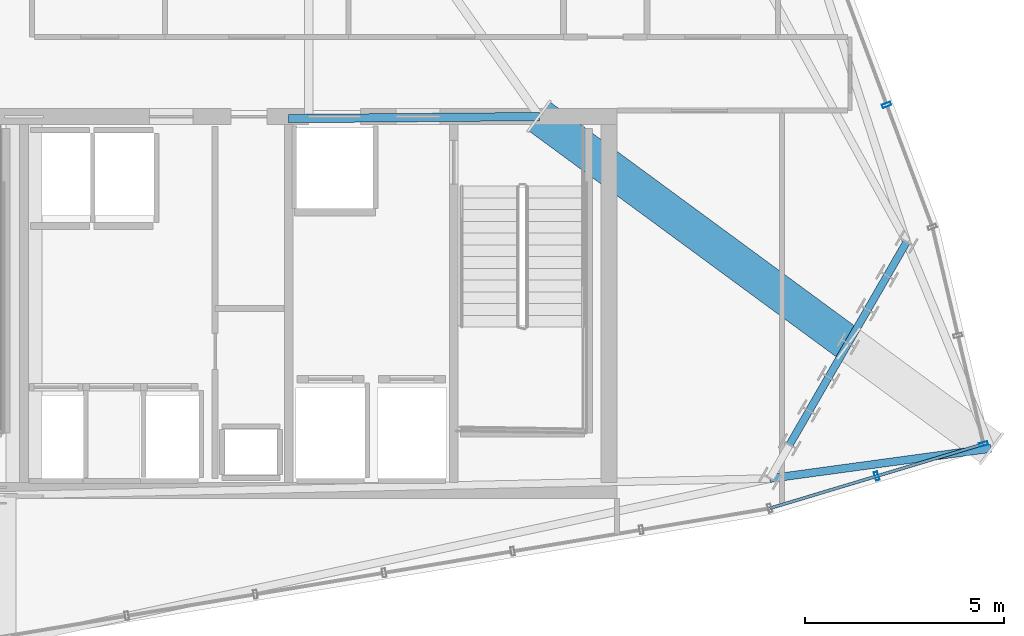
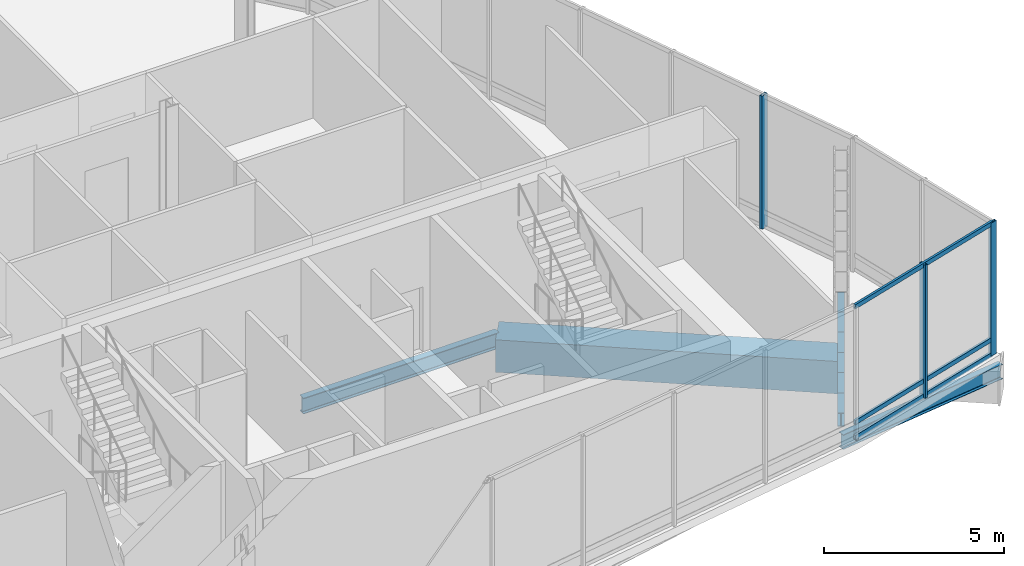
# One storey, part 10 of 29: 9 beams, 6 members, 3 elements without a shape of their own.
"""IFC4 building model written with IfcOpenShell, lengths in metres."""

from ifc_helpers import new_model, si_unit, direction, frame, origin, origin_2d, place, context, subcontext, project, spatial, hollow_rectangle, i_section, extrude, material, layer, layer_set, material_profile, profile_set, type_object, element, aggregate, save


model = new_model("IFC4")

# Units and contexts
model_context = context("Model", 3, precision=1e-05, world=origin(), true_north=direction((0.0, 1.0)))
body_context = subcontext(model_context, "Body", "Model", "MODEL_VIEW")
ifc_project = project(units=[si_unit("LENGTHUNIT", "METRE"), si_unit("AREAUNIT", "SQUARE_METRE"), si_unit("VOLUMEUNIT", "CUBIC_METRE"), si_unit("PLANEANGLEUNIT", "RADIAN"), si_unit("MASSUNIT", "GRAM", prefix="KILO")], contexts=[model_context])

# Site, building, storey
site_placement = place(None, origin())
site = spatial("IfcSite", under=ifc_project, at=site_placement, CompositionType="ELEMENT")
building_placement = place(site_placement, origin())
building = spatial("IfcBuilding", under=site, at=building_placement, Name="Ndaravel Arena Tower", CompositionType="ELEMENT")
storey_placement = place(building_placement, frame((0.0, 0.0, 208.39990234375)))
storey = spatial("IfcBuildingStorey", under=building, at=storey_placement, Name="L50", CompositionType="ELEMENT", Elevation=208.39990234375)

# Beams
ifc_material_1 = material(Name="Steel S355", Category="steel")
ifc_material_profile_1 = material_profile(ifc_material_1, i_section(OverallWidth=0.210693359375, OverallDepth=0.53955078125, WebThickness=0.01171875, FlangeThickness=0.018798828125, FilletRadius=0.0126953125, at=origin_2d()), Name="UB 533x210x109")
ifc_profile_set_1 = profile_set([ifc_material_profile_1], Name="Steel S355")
beam_type_1 = type_object("IfcBeamType", Name="BM-GIRD-UB533", PredefinedType="BEAM", material=ifc_profile_set_1)
beam_1_placement = place(storey_placement, frame((49.300048828125, 14.949951171875, -0.549560546875), z_axis=(0.99996848057, 0.007939638968, 0.0), x_axis=(-0.007939638968, 0.99996848057, 0.0)))
element("IfcBeam", 1, at=beam_1_placement, inside=storey, type_object=beam_type_1, Name="L50 Star Backspan Anchor Tie SAT1-3", PredefinedType="BEAM", context=body_context, shape_type="SweptSolid", body=[
    extrude(i_section(OverallWidth=0.210693359375, OverallDepth=0.53955078125, WebThickness=0.01171875, FlangeThickness=0.018798828125, FilletRadius=0.0126953125, at=origin_2d()), origin(), (0.0, 0.0, 1.0), 6.3037109375),
])
ifc_material_2 = material(Name="Steel S355", Category="steel")
ifc_material_profile_2 = material_profile(ifc_material_2, i_section(OverallWidth=0.18994140625, OverallDepth=0.449951171875, WebThickness=0.009521484375, FlangeThickness=0.0146484375, FilletRadius=0.02099609375, at=origin_2d()), Name="IPE 450")
ifc_profile_set_2 = profile_set([ifc_material_profile_2], Name="Steel S355")
beam_type_2 = type_object("IfcBeamType", Name="BM-SPAN-IPE450", PredefinedType="SPANDREL", material=ifc_profile_set_2)
for number, where, z_axis, x_axis, name in (
    (2, (61.88720703125, 6.753662109375, -0.5048828125), (0.499995473844, 0.866028016946, 0.0), (-0.866028016946, 0.499995473844, 0.0), "L50 Perimeter Spandrel Beam SP-03"),
    (3, (62.37744140625, 7.602783203125, -0.5048828125), (0.499995473844, 0.866028016946, 0.0), (-0.866028016946, 0.499995473844, 0.0), "L50 Perimeter Spandrel Beam SP-04"),
):
    element("IfcBeam", number, at=place(storey_placement, frame(where, z_axis=z_axis, x_axis=x_axis)), inside=storey, type_object=beam_type_2, Name=name, PredefinedType="SPANDREL", context=body_context, shape_type="SweptSolid", body=[
        extrude(i_section(OverallWidth=0.18994140625, OverallDepth=0.449951171875, WebThickness=0.009521484375, FlangeThickness=0.0146484375, FilletRadius=0.02099609375, at=origin_2d()), origin(), (0.0, 0.0, 1.0), 0.98046875),
    ])
beam_2_placement = place(storey_placement, frame((62.86767578125, 8.451904296875, -0.5048828125), z_axis=(0.500103313483, 0.8659657475, 0.0), x_axis=(-0.8659657475, 0.500103313483, 0.0)))
element("IfcBeam", 4, at=beam_2_placement, inside=storey, type_object=beam_type_2, Name="L50 Perimeter Spandrel Beam SP-05", PredefinedType="SPANDREL", context=body_context, shape_type="SweptSolid", body=[
    extrude(i_section(OverallWidth=0.18994140625, OverallDepth=0.449951171875, WebThickness=0.009521484375, FlangeThickness=0.0146484375, FilletRadius=0.02099609375, at=origin_2d()), origin(), (0.0, 0.0, 1.0), 0.980224609375),
])
for number, where, z_axis, x_axis, name in (
    (5, (63.35791015625, 9.30078125, -0.5048828125), (0.499995473844, 0.866028016946, 0.0), (-0.866028016946, 0.499995473844, 0.0), "L50 Perimeter Spandrel Beam SP-06"),
    (6, (63.84814453125, 10.14990234375, -0.5048828125), (0.499995473844, 0.866028016946, 0.0), (-0.866028016946, 0.499995473844, 0.0), "L50 Perimeter Spandrel Beam SP-07"),
    (7, (64.33837890625, 10.9990234375, -0.5048828125), (0.499995473844, 0.866028016946, 0.0), (-0.866028016946, 0.499995473844, 0.0), "L50 Perimeter Spandrel Beam SP-08"),
):
    element("IfcBeam", number, at=place(storey_placement, frame(where, z_axis=z_axis, x_axis=x_axis)), inside=storey, type_object=beam_type_2, Name=name, PredefinedType="SPANDREL", context=body_context, shape_type="SweptSolid", body=[
        extrude(i_section(OverallWidth=0.18994140625, OverallDepth=0.449951171875, WebThickness=0.009521484375, FlangeThickness=0.0146484375, FilletRadius=0.02099609375, at=origin_2d()), origin(), (0.0, 0.0, 1.0), 0.98046875),
    ])
ifc_material_3 = material(Name="Steel S355", Category="steel")
ifc_material_profile_3 = material_profile(ifc_material_3, i_section(OverallWidth=0.199951171875, OverallDepth=0.5, WebThickness=0.01025390625, FlangeThickness=0.01611328125, FilletRadius=0.02099609375, at=origin_2d()), Name="IPE 500")
ifc_profile_set_3 = profile_set([ifc_material_profile_3], Name="Steel S355")
beam_type_3 = type_object("IfcBeamType", Name="BM-SPAN-IPE500", PredefinedType="SPANDREL", material=ifc_profile_set_3)
beam_3_placement = place(storey_placement, frame((61.397216796875, 5.904541015625, -0.52978515625), z_axis=(0.990836265135, 0.135068485199, 0.0), x_axis=(-0.135068485199, 0.990836265135, 0.0)))
element("IfcBeam", 8, at=beam_3_placement, inside=storey, type_object=beam_type_3, Name="L50 Star Facet Edge Beam SEA-3", PredefinedType="SPANDREL", context=body_context, shape_type="SweptSolid", body=[
    extrude(i_section(OverallWidth=0.199951171875, OverallDepth=0.5, WebThickness=0.01025390625, FlangeThickness=0.01611328125, FilletRadius=0.02099609375, at=origin_2d()), origin(), (0.0, 0.0, 1.0), 5.603271484375),
])
ifc_material_4 = material(Name="Steel S460", Category="steel")
ifc_material_profile_4 = material_profile(ifc_material_4, hollow_rectangle(XDim=0.89990234375, YDim=1.10009765625, WallThickness=0.06494140625, at=origin_2d()), Name="BOX 1100x900x65")
ifc_profile_set_4 = profile_set([ifc_material_profile_4], Name="Steel S460")
beam_type_4 = type_object("IfcBeamType", Name="BM-STAR-BOX1100", PredefinedType="BEAM", material=ifc_profile_set_4)
beam_4_placement = place(storey_placement, frame((55.603515625, 15.0, -0.829833984375), z_axis=(0.80577705705, -0.59221899187, 0.0), x_axis=(0.59221899187, 0.80577705705, 0.0)))
element("IfcBeam", 9, at=beam_4_placement, inside=storey, type_object=beam_type_4, Name="L50 Star Cantilever Backspan Girder SBG-3", PredefinedType="BEAM", context=body_context, shape_type="SweptSolid", body=[
    extrude(hollow_rectangle(XDim=0.89990234375, YDim=1.10009765625, WallThickness=0.06494140625, at=origin_2d()), origin(), (0.0, 0.0, 1.0), 9.62353515625),
])

# Curtain wall, member
ifc_material_5 = material(Name="Aluminium", Category="aluminium")
ifc_layer = layer(ifc_material_5, 0.179931640625)
ifc_layer_set = layer_set([ifc_layer], Name="Aluminium")
curtain_wall_type = type_object("IfcCurtainWallType", Name="CW-SYS-04", PredefinedType="NOTDEFINED", material=ifc_layer_set)
curtain_wall_1_placement = place(storey_placement, origin())
curtain_wall_1 = element("IfcCurtainWall", 10, at=curtain_wall_1_placement, inside=storey, type_object=curtain_wall_type, Name="L50 Faceted Crystal Curtain Wall CW-L50-E04", PredefinedType="NOTDEFINED")
ifc_material_6 = material(Name="Aluminium", Category="aluminium")
ifc_material_profile_5 = material_profile(ifc_material_6, hollow_rectangle(XDim=0.090087890625, YDim=0.219970703125, WallThickness=0.0048828125, at=origin_2d()), Name="CW MULLION 90x220x5")
ifc_profile_set_5 = profile_set([ifc_material_profile_5], Name="Aluminium")
member_type_1 = type_object("IfcMemberType", Name="MEM-CW-MUL220", PredefinedType="MULLION", material=ifc_profile_set_5)
member_1_placement = place(storey_placement, frame((64.075927734375, 5.963623046875, 0.0), z_axis=(0.0, 0.0, 1.0), x_axis=(0.957576390633, 0.288179555317, 0.0)))
member_1 = element("IfcMember", 11, at=member_1_placement, type_object=member_type_1, Name="CW-L50-E04 Mullion 01", PredefinedType="MULLION", context=body_context, shape_type="SweptSolid", body=[
    extrude(hollow_rectangle(XDim=0.090087890625, YDim=0.219970703125, WallThickness=0.0048828125, at=origin_2d()), origin(), (0.0, 0.0, 1.0), 4.52001953125),
])

curtain_wall_2_placement = place(storey_placement, origin())
curtain_wall_2 = element("IfcCurtainWall", 12, at=curtain_wall_2_placement, inside=storey, type_object=curtain_wall_type, Name="L50 Faceted Crystal Curtain Wall CW-L50-E05", PredefinedType="NOTDEFINED")
member_2_placement = place(storey_placement, frame((66.759033203125, 6.77099609375, 0.0), z_axis=(0.0, 0.0, 1.0), x_axis=(-0.22921737956, 0.973375258011, 0.0)))
member_2 = element("IfcMember", 13, at=member_2_placement, type_object=member_type_1, Name="CW-L50-E05 Mullion 00", PredefinedType="MULLION", context=body_context, shape_type="SweptSolid", body=[
    extrude(hollow_rectangle(XDim=0.090087890625, YDim=0.219970703125, WallThickness=0.0048828125, at=origin_2d()), origin(), (0.0, 0.0, 1.0), 4.52001953125),
])
aggregate(curtain_wall_2, [member_2])

curtain_wall_3_placement = place(storey_placement, origin())
curtain_wall_3 = element("IfcCurtainWall", 14, at=curtain_wall_3_placement, inside=storey, type_object=curtain_wall_type, Name="L50 Faceted Crystal Curtain Wall CW-L50-E06", PredefinedType="NOTDEFINED")
member_3_placement = place(storey_placement, frame((64.32666015625, 15.29541015625, 0.0), z_axis=(0.0, 0.0, 1.0), x_axis=(-0.350272772461, 0.936647737878, 0.0)))
member_3 = element("IfcMember", 15, at=member_3_placement, type_object=member_type_1, Name="CW-L50-E06 Mullion 01", PredefinedType="MULLION", context=body_context, shape_type="SweptSolid", body=[
    extrude(hollow_rectangle(XDim=0.090087890625, YDim=0.219970703125, WallThickness=0.0048828125, at=origin_2d()), origin(), (0.0, 0.0, 1.0), 4.52001953125),
])
aggregate(curtain_wall_3, [member_3])

# Member
ifc_material_7 = material(Name="Aluminium", Category="aluminium")
ifc_material_profile_6 = material_profile(ifc_material_7, hollow_rectangle(XDim=0.074951171875, YDim=0.14990234375, WallThickness=0.00390625, at=origin_2d()), Name="CW TRANSOM 75x150x4")
ifc_profile_set_6 = profile_set([ifc_material_profile_6], Name="Aluminium")
member_type_2 = type_object("IfcMemberType", Name="MEM-CW-TRN150", PredefinedType="USERDEFINED", material=ifc_profile_set_6)
member_4_placement = place(storey_placement, frame((61.392578125, 5.156005859375, 0.0400390625), z_axis=(0.95757773369, 0.288175092505, 0.0), x_axis=(-0.288175092505, 0.95757773369, 0.0)))
member_4 = element("IfcMember", 16, at=member_4_placement, type_object=member_type_2, Name="CW-L50-E04 Transom 01", ObjectType="TRANSOM", PredefinedType="USERDEFINED", context=body_context, shape_type="SweptSolid", body=[
    extrude(hollow_rectangle(XDim=0.074951171875, YDim=0.14990234375, WallThickness=0.00390625, at=origin_2d()), origin(), (0.0, 0.0, 1.0), 5.604248046875),
])

member_5_placement = place(storey_placement, frame((61.392578125, 5.156005859375, 0.550048828125), z_axis=(0.95757773369, 0.288175092505, 0.0), x_axis=(-0.288175092505, 0.95757773369, 0.0)))
member_5 = element("IfcMember", 17, at=member_5_placement, type_object=member_type_2, Name="CW-L50-E04 Transom 02", ObjectType="TRANSOM", PredefinedType="USERDEFINED", context=body_context, shape_type="SweptSolid", body=[
    extrude(hollow_rectangle(XDim=0.074951171875, YDim=0.14990234375, WallThickness=0.00390625, at=origin_2d()), origin(), (0.0, 0.0, 1.0), 5.604248046875),
])

member_6_placement = place(storey_placement, frame((61.392578125, 5.156005859375, 4.47998046875), z_axis=(0.95757773369, 0.288175092505, 0.0), x_axis=(-0.288175092505, 0.95757773369, 0.0)))
member_6 = element("IfcMember", 18, at=member_6_placement, type_object=member_type_2, Name="CW-L50-E04 Transom 03", ObjectType="TRANSOM", PredefinedType="USERDEFINED", context=body_context, shape_type="SweptSolid", body=[
    extrude(hollow_rectangle(XDim=0.074951171875, YDim=0.14990234375, WallThickness=0.00390625, at=origin_2d()), origin(), (0.0, 0.0, 1.0), 5.604248046875),
])

aggregate(curtain_wall_1, [member_1, member_4, member_5, member_6])

save(model, "model.ifc")
